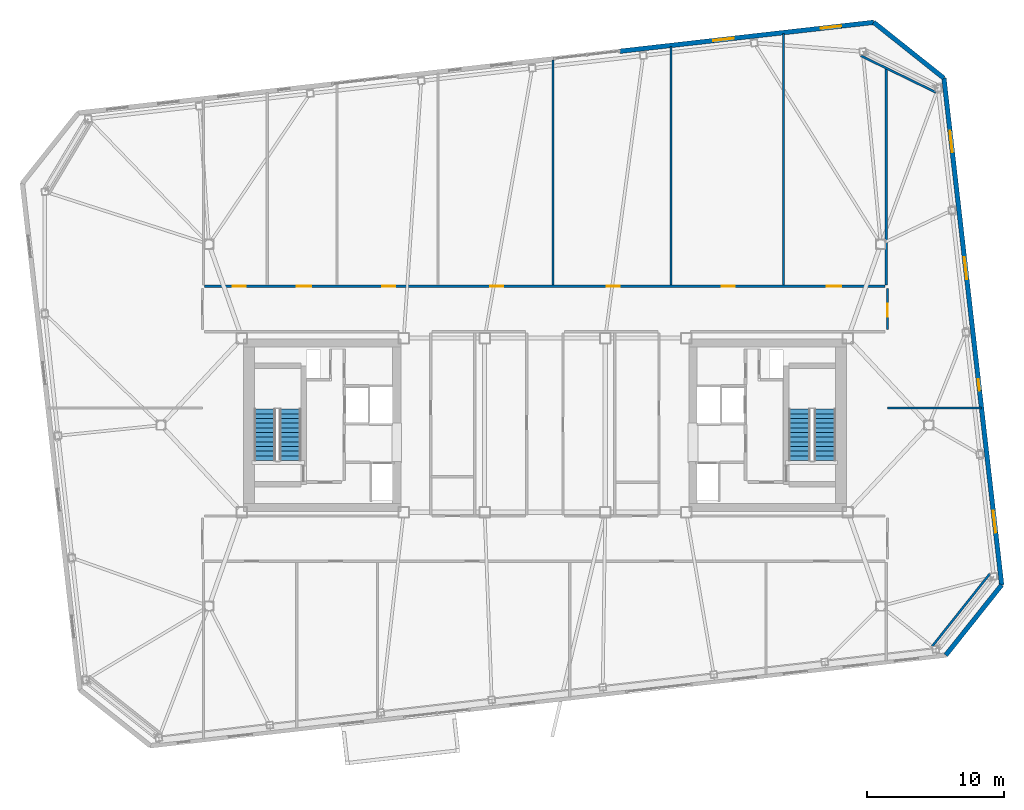
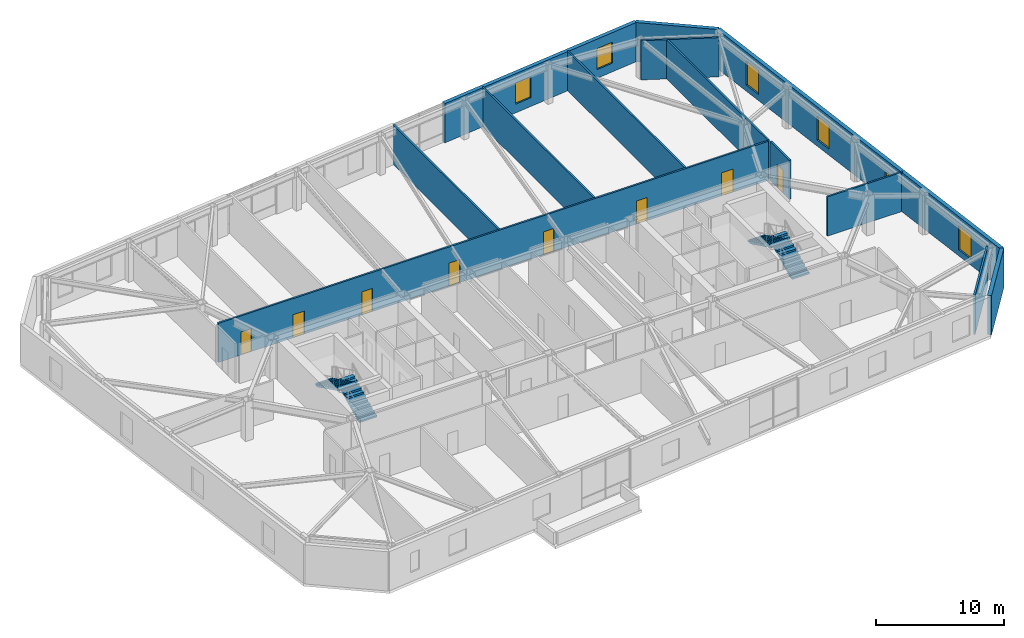
# One storey, part 15 of 18: 13 walls, 8 doors, 6 windows, 4 stair flights, 14 openings, 2 elements without a shape of their own.
"""IFC4 building model written with IfcOpenShell, lengths in metres."""

from ifc_helpers import new_model, si_unit, direction, frame, frame_2d, origin, place, context, subcontext, project, spatial, polyline, rectangle, outline, extrude, material, layer, layer_set, type_object, element, fill, aggregate, save


model = new_model("IFC4")

# Units and contexts
model_context = context("Model", 3, precision=1e-05, world=origin(), true_north=direction((0.0, 1.0)))
body_context = subcontext(model_context, "Body", "Model", "MODEL_VIEW")
ifc_project = project(units=[si_unit("LENGTHUNIT", "METRE"), si_unit("AREAUNIT", "SQUARE_METRE"), si_unit("VOLUMEUNIT", "CUBIC_METRE"), si_unit("PLANEANGLEUNIT", "RADIAN"), si_unit("MASSUNIT", "GRAM", prefix="KILO")], contexts=[model_context])

# Site, building, storey
site_placement = place(None, origin())
site = spatial("IfcSite", under=ifc_project, at=site_placement, CompositionType="ELEMENT")
building_placement = place(site_placement, origin())
building = spatial("IfcBuilding", under=site, at=building_placement, Name="Tavrogorsk Clinical Tower", CompositionType="ELEMENT")
storey_placement = place(building_placement, frame((0.0, 0.0, 230.199951171875)))
storey = spatial("IfcBuildingStorey", under=building, at=storey_placement, Name="L53", CompositionType="ELEMENT", Elevation=230.199951171875)

# Walls
ifc_material_1 = material(Name="Lightweight concrete blockwork B15", Category="masonry")
ifc_layer_1 = layer(ifc_material_1, 0.159912109375)
ifc_layer_set_1 = layer_set([ifc_layer_1], Name="Lightweight concrete blockwork B15")
wall_type_1 = type_object("IfcWallType", Name="PartitionWall_160", PredefinedType="PARTITIONING", material=ifc_layer_set_1)
wall_1_placement = place(storey_placement, frame((28.242431640625, -16.1337890625, 0.0), z_axis=(0.0, 0.0, 1.0), x_axis=(0.622521563328, 0.782602647064, 0.0)))
element("IfcWall", 1, at=wall_1_placement, inside=storey, type_object=wall_type_1, Name="L53 Corner Exoskeleton Brace Furring Wall 1", PredefinedType="PARTITIONING", context=body_context, shape_type="SweptSolid", body=[
    extrude(rectangle(XDim=6.788330078125, YDim=0.159912109375, at=frame_2d((3.39404296875, 0.0))), origin(), (0.0, 0.0, 1.0), 3.739990234375),
])
wall_2_placement = place(storey_placement, frame((28.5283203125, 24.27099609375, 0.0), z_axis=(0.0, 0.0, 1.0), x_axis=(-0.898820692789, 0.438316509173, 0.0)))
element("IfcWall", 2, at=wall_2_placement, inside=storey, type_object=wall_type_1, Name="L53 Corner Exoskeleton Brace Furring Wall 2", PredefinedType="PARTITIONING", context=body_context, shape_type="SweptSolid", body=[
    extrude(rectangle(XDim=6.10693359375, YDim=0.159912109375, at=frame_2d((3.053466796875, 0.0))), origin(), (0.0, 0.0, 1.0), 3.739990234375),
])

# Wall, openings, doors
wall_3_placement = place(storey_placement, frame((-24.81494140625, 10.1298828125, 0.0), z_axis=(0.0, 0.0, 1.0), x_axis=(1.0, 0.0, 0.0)))
wall_3 = element("IfcWall", 3, at=wall_3_placement, inside=storey, type_object=wall_type_1, Name="L53 Corridor Partition 05", PredefinedType="PARTITIONING", context=body_context, shape_type="SweptSolid", body=[
    extrude(rectangle(XDim=49.6298828125, YDim=0.159912109375, at=frame_2d((24.81494140625, 0.0))), origin(), (0.0, 0.0, 1.0), 3.739990234375),
])
opening_1_placement = place(wall_3_placement, frame((2.044189453125, 0.0, 0.0)))
opening_1 = element("IfcOpeningElement", 4, at=opening_1_placement, cuts=wall_3, Name="Opening ID-02", PredefinedType="OPENING", context=body_context, shape_type="SweptSolid", body=[
    extrude(rectangle(XDim=0.949951171875, YDim=2.199951171875, at=frame_2d((0.47509765625, 1.10009765625))), frame((0.0, 0.08984375, 0.0), z_axis=(0.0, -1.0, 0.0), x_axis=(1.0, 0.0, 0.0)), (0.0, 0.0, 1.0), 0.179931640625),
])
opening_2_placement = place(wall_3_placement, frame((6.719970703125, 0.0, 0.0)))
opening_2 = element("IfcOpeningElement", 5, at=opening_2_placement, cuts=wall_3, Name="Opening ID-04", PredefinedType="OPENING", context=body_context, shape_type="SweptSolid", body=[
    extrude(rectangle(XDim=1.050048828125, YDim=2.199951171875, at=frame_2d((0.52490234375, 1.10009765625))), frame((0.0, 0.08984375, 0.0), z_axis=(0.0, -1.0, 0.0), x_axis=(1.0, 0.0, 0.0)), (0.0, 0.0, 1.0), 0.179931640625),
])
opening_3_placement = place(wall_3_placement, frame((12.945068359375, 0.0, 0.0)))
opening_3 = element("IfcOpeningElement", 6, at=opening_3_placement, cuts=wall_3, Name="Opening ID-02", PredefinedType="OPENING", context=body_context, shape_type="SweptSolid", body=[
    extrude(rectangle(XDim=0.949951171875, YDim=2.199951171875, at=frame_2d((0.47509765625, 1.10009765625))), frame((0.0, 0.08984375, 0.0), z_axis=(0.0, -1.0, 0.0), x_axis=(1.0, 0.0, 0.0)), (0.0, 0.0, 1.0), 0.179931640625),
])
opening_4_placement = place(wall_3_placement, frame((20.824951171875, 0.0, 0.0)))
opening_4 = element("IfcOpeningElement", 7, at=opening_4_placement, cuts=wall_3, Name="Opening ID-02", PredefinedType="OPENING", context=body_context, shape_type="SweptSolid", body=[
    extrude(rectangle(XDim=0.949951171875, YDim=2.199951171875, at=frame_2d((0.47509765625, 1.10009765625))), frame((0.0, 0.08984375, 0.0), z_axis=(0.0, -1.0, 0.0), x_axis=(1.0, 0.0, 0.0)), (0.0, 0.0, 1.0), 0.179931640625),
])
opening_5_placement = place(wall_3_placement, frame((29.324951171875, 0.0, 0.0)))
opening_5 = element("IfcOpeningElement", 8, at=opening_5_placement, cuts=wall_3, Name="Opening ID-02", PredefinedType="OPENING", context=body_context, shape_type="SweptSolid", body=[
    extrude(rectangle(XDim=0.949951171875, YDim=2.199951171875, at=frame_2d((0.47509765625, 1.10009765625))), frame((0.0, 0.08984375, 0.0), z_axis=(0.0, -1.0, 0.0), x_axis=(1.0, 0.0, 0.0)), (0.0, 0.0, 1.0), 0.179931640625),
])
opening_6_placement = place(wall_3_placement, frame((37.72509765625, 0.0, 0.0)))
opening_6 = element("IfcOpeningElement", 9, at=opening_6_placement, cuts=wall_3, Name="Opening ID-02", PredefinedType="OPENING", context=body_context, shape_type="SweptSolid", body=[
    extrude(rectangle(XDim=0.949951171875, YDim=2.199951171875, at=frame_2d((0.47509765625, 1.10009765625))), frame((0.0, 0.08984375, 0.0), z_axis=(0.0, -1.0, 0.0), x_axis=(1.0, 0.0, 0.0)), (0.0, 0.0, 1.0), 0.179931640625),
])
opening_7_placement = place(wall_3_placement, frame((45.380859375, 0.0, 0.0)))
opening_7 = element("IfcOpeningElement", 10, at=opening_7_placement, cuts=wall_3, Name="Opening ID-04", PredefinedType="OPENING", context=body_context, shape_type="SweptSolid", body=[
    extrude(rectangle(XDim=1.050048828125, YDim=2.199951171875, at=frame_2d((0.52490234375, 1.10009765625))), frame((0.0, 0.08984375, 0.0), z_axis=(0.0, -1.0, 0.0), x_axis=(1.0, 0.0, 0.0)), (0.0, 0.0, 1.0), 0.179931640625),
])
ifc_material_2 = material(Name="Antibacterial HPL consultation door on aluminium frame", Category="aluminium")
door_type_1 = type_object("IfcDoorType", Name="ConsultDoor_ID04_1050", OperationType="NOTDEFINED", PredefinedType="DOOR", material=ifc_material_2)
door_1_placement = place(opening_2_placement, origin())
door_1 = element("IfcDoor", 11, at=door_1_placement, inside=storey, type_object=door_type_1, Name="L53 North Neuro-Rehabilitation Robotics Gym 02 Door", OperationType="SINGLE_SWING_RIGHT", OverallHeight=2.199951171875, OverallWidth=1.050048828125, PredefinedType="DOOR", context=body_context, shape_type="SweptSolid", body=[
    extrude(rectangle(XDim=1.050048828125, YDim=2.199951171875, at=frame_2d((0.52490234375, 1.10009765625))), frame((0.0, 0.02490234375, 0.0), z_axis=(0.0, -1.0, 0.0), x_axis=(1.0, 0.0, 0.0)), (0.0, 0.0, 1.0), 0.050048828125),
])
fill(opening_2, door_1)
door_2_placement = place(opening_7_placement, origin())
door_2 = element("IfcDoor", 12, at=door_2_placement, inside=storey, type_object=door_type_1, Name="L53 North Patient Mobility Lounge 07 Door", OperationType="SINGLE_SWING_LEFT", OverallHeight=2.199951171875, OverallWidth=1.050048828125, PredefinedType="DOOR", context=body_context, shape_type="SweptSolid", body=[
    extrude(rectangle(XDim=1.050048828125, YDim=2.199951171875, at=frame_2d((0.52490234375, 1.10009765625))), frame((0.0, 0.02490234375, 0.0), z_axis=(0.0, -1.0, 0.0), x_axis=(1.0, 0.0, 0.0)), (0.0, 0.0, 1.0), 0.050048828125),
])
fill(opening_7, door_2)
ifc_material_3 = material(Name="Laminated timber leaf on aluminium frame", Category="wood")
door_type_2 = type_object("IfcDoorType", Name="InteriorDoor_ID02_950", OperationType="NOTDEFINED", PredefinedType="DOOR", material=ifc_material_3)
door_3_placement = place(opening_1_placement, origin())
door_3 = element("IfcDoor", 13, at=door_3_placement, inside=storey, type_object=door_type_2, Name="L53 North Speech & Occupational Therapy Office 01 Door", OperationType="SINGLE_SWING_LEFT", OverallHeight=2.199951171875, OverallWidth=0.949951171875, PredefinedType="DOOR", context=body_context, shape_type="SweptSolid", body=[
    extrude(rectangle(XDim=0.949951171875, YDim=2.199951171875, at=frame_2d((0.47509765625, 1.10009765625))), frame((0.0, 0.02490234375, 0.0), z_axis=(0.0, -1.0, 0.0), x_axis=(1.0, 0.0, 0.0)), (0.0, 0.0, 1.0), 0.050048828125),
])
fill(opening_1, door_3)
door_4_placement = place(opening_3_placement, origin())
door_4 = element("IfcDoor", 14, at=door_4_placement, inside=storey, type_object=door_type_2, Name="L53 North Patient Mobility Lounge 03 Door", OperationType="SINGLE_SWING_LEFT", OverallHeight=2.199951171875, OverallWidth=0.949951171875, PredefinedType="DOOR", context=body_context, shape_type="SweptSolid", body=[
    extrude(rectangle(XDim=0.949951171875, YDim=2.199951171875, at=frame_2d((0.47509765625, 1.10009765625))), frame((0.0, 0.02490234375, 0.0), z_axis=(0.0, -1.0, 0.0), x_axis=(1.0, 0.0, 0.0)), (0.0, 0.0, 1.0), 0.050048828125),
])
fill(opening_3, door_4)
door_5_placement = place(opening_4_placement, origin())
door_5 = element("IfcDoor", 15, at=door_5_placement, inside=storey, type_object=door_type_2, Name="L53 North Rehabilitation Case Seminar Room 04 Door", OperationType="SINGLE_SWING_RIGHT", OverallHeight=2.199951171875, OverallWidth=0.949951171875, PredefinedType="DOOR", context=body_context, shape_type="SweptSolid", body=[
    extrude(rectangle(XDim=0.949951171875, YDim=2.199951171875, at=frame_2d((0.47509765625, 1.10009765625))), frame((0.0, 0.02490234375, 0.0), z_axis=(0.0, -1.0, 0.0), x_axis=(1.0, 0.0, 0.0)), (0.0, 0.0, 1.0), 0.050048828125),
])
fill(opening_4, door_5)
door_6_placement = place(opening_5_placement, origin())
door_6 = element("IfcDoor", 16, at=door_6_placement, inside=storey, type_object=door_type_2, Name="L53 North Speech & Occupational Therapy Office 05 Door", OperationType="SINGLE_SWING_LEFT", OverallHeight=2.199951171875, OverallWidth=0.949951171875, PredefinedType="DOOR", context=body_context, shape_type="SweptSolid", body=[
    extrude(rectangle(XDim=0.949951171875, YDim=2.199951171875, at=frame_2d((0.47509765625, 1.10009765625))), frame((0.0, 0.02490234375, 0.0), z_axis=(0.0, -1.0, 0.0), x_axis=(1.0, 0.0, 0.0)), (0.0, 0.0, 1.0), 0.050048828125),
])
fill(opening_5, door_6)
door_7_placement = place(opening_6_placement, origin())
door_7 = element("IfcDoor", 17, at=door_7_placement, inside=storey, type_object=door_type_2, Name="L53 North Neuro-Rehabilitation Robotics Gym 06 Door", OperationType="SINGLE_SWING_RIGHT", OverallHeight=2.199951171875, OverallWidth=0.949951171875, PredefinedType="DOOR", context=body_context, shape_type="SweptSolid", body=[
    extrude(rectangle(XDim=0.949951171875, YDim=2.199951171875, at=frame_2d((0.47509765625, 1.10009765625))), frame((0.0, 0.02490234375, 0.0), z_axis=(0.0, -1.0, 0.0), x_axis=(1.0, 0.0, 0.0)), (0.0, 0.0, 1.0), 0.050048828125),
])
fill(opening_6, door_7)

# Wall, opening, door
wall_4_placement = place(storey_placement, frame((24.97998046875, 9.965087890625, 0.0), z_axis=(0.0, 0.0, 1.0), x_axis=(0.0, -1.0, 0.0)))
wall_4 = element("IfcWall", 18, at=wall_4_placement, inside=storey, type_object=wall_type_1, Name="L53 Corridor Partition 06", PredefinedType="PARTITIONING", context=body_context, shape_type="SweptSolid", body=[
    extrude(rectangle(XDim=2.97998046875, YDim=0.159912109375, at=frame_2d((1.489990234375, 0.0))), origin(), (0.0, 0.0, 1.0), 3.739990234375),
])
opening_8_placement = place(wall_4_placement, frame((1.10009765625, 0.0, 0.0)))
opening_8 = element("IfcOpeningElement", 19, at=opening_8_placement, cuts=wall_4, Name="Opening ID-02", PredefinedType="OPENING", context=body_context, shape_type="SweptSolid", body=[
    extrude(rectangle(XDim=0.949951171875, YDim=2.199951171875, at=frame_2d((0.47509765625, 1.10009765625))), frame((0.0, 0.08984375, 0.0), z_axis=(0.0, -1.0, 0.0), x_axis=(1.0, 0.0, 0.0)), (0.0, 0.0, 1.0), 0.179931640625),
])
door_8_placement = place(opening_8_placement, origin())
door_8 = element("IfcDoor", 20, at=door_8_placement, inside=storey, type_object=door_type_2, Name="L53 E Multidisciplinary Seminar Suite 2 Door", OperationType="SINGLE_SWING_RIGHT", OverallHeight=2.199951171875, OverallWidth=0.949951171875, PredefinedType="DOOR", context=body_context, shape_type="SweptSolid", body=[
    extrude(rectangle(XDim=0.949951171875, YDim=2.199951171875, at=frame_2d((0.47509765625, 1.10009765625))), frame((0.0, 0.02490234375, 0.0), z_axis=(0.0, -1.0, 0.0), x_axis=(1.0, 0.0, 0.0)), (0.0, 0.0, 1.0), 0.050048828125),
])
fill(opening_8, door_8)

# Walls
wall_5_placement = place(storey_placement, frame((24.89990234375, 10.215087890625, 0.0), z_axis=(0.0, 0.0, 1.0), x_axis=(0.0, 1.0, 0.0)))
element("IfcWall", 21, at=wall_5_placement, inside=storey, type_object=wall_type_1, Name="L53 NE Wing Closure Partition", PredefinedType="PARTITIONING", context=body_context, shape_type="SweptSolid", body=[
    extrude(rectangle(XDim=15.829345703125, YDim=0.159912109375, at=frame_2d((7.91455078125, 0.0))), origin(), (0.0, 0.0, 1.0), 3.739990234375),
])
wall_6_placement = place(storey_placement, frame((0.60009765625, 10.215087890625, 0.0), z_axis=(0.0, 0.0, 1.0), x_axis=(0.0, 1.0, 0.0)))
element("IfcWall", 22, at=wall_6_placement, inside=storey, type_object=wall_type_1, Name="L53 North Room Partition 4", PredefinedType="PARTITIONING", context=body_context, shape_type="SweptSolid", body=[
    extrude(rectangle(XDim=16.4365234375, YDim=0.159912109375, at=frame_2d((8.21826171875, 0.0))), origin(), (0.0, 0.0, 1.0), 3.739990234375),
])
wall_7_placement = place(storey_placement, frame((9.199951171875, 10.215087890625, 0.0), z_axis=(0.0, 0.0, 1.0), x_axis=(0.0, 1.0, 0.0)))
element("IfcWall", 23, at=wall_7_placement, inside=storey, type_object=wall_type_1, Name="L53 North Room Partition 5", PredefinedType="PARTITIONING", context=body_context, shape_type="SweptSolid", body=[
    extrude(rectangle(XDim=17.41650390625, YDim=0.159912109375, at=frame_2d((8.708251953125, 0.0))), origin(), (0.0, 0.0, 1.0), 3.739990234375),
])
wall_8_placement = place(storey_placement, frame((17.39990234375, 10.215087890625, 0.0), z_axis=(0.0, 0.0, 1.0), x_axis=(0.0, 1.0, 0.0)))
element("IfcWall", 24, at=wall_8_placement, inside=storey, type_object=wall_type_1, Name="L53 North Room Partition 6", PredefinedType="PARTITIONING", context=body_context, shape_type="SweptSolid", body=[
    extrude(rectangle(XDim=18.350830078125, YDim=0.159912109375, at=frame_2d((9.17529296875, 0.0))), origin(), (0.0, 0.0, 1.0), 3.739990234375),
])
wall_9_placement = place(storey_placement, frame((24.97998046875, 1.25, 0.0), z_axis=(0.0, 0.0, 1.0), x_axis=(1.0, 0.0, 0.0)))
element("IfcWall", 25, at=wall_9_placement, inside=storey, type_object=wall_type_1, Name="L53 E Wing Divider 1", PredefinedType="PARTITIONING", context=body_context, shape_type="SweptSolid", body=[
    extrude(rectangle(XDim=6.84814453125, YDim=0.159912109375, at=frame_2d((3.424072265625, 0.0))), origin(), (0.0, 0.0, 1.0), 3.739990234375),
])

# Wall, openings, windows
ifc_material_4 = material(Name="Precast concrete B45 with limestone cladding", Category="masonry")
ifc_layer_2 = layer(ifc_material_4, 0.340087890625)
ifc_layer_set_2 = layer_set([ifc_layer_2], Name="Precast concrete B45 with limestone cladding")
wall_type_2 = type_object("IfcWallType", Name="PrecastLimestoneWall_340", PredefinedType="STANDARD", material=ifc_layer_set_2)
wall_10_placement = place(storey_placement, frame((23.982666015625, 29.38623046875, 0.0), z_axis=(0.0, 0.0, 1.0), x_axis=(-0.993572271362, -0.113199565282, 0.0)))
wall_10 = element("IfcWall", 26, at=wall_10_placement, inside=storey, type_object=wall_type_2, Name="L53 N Limestone Facade Wall 1", PredefinedType="STANDARD", context=body_context, shape_type="SweptSolid", body=[
    extrude(rectangle(XDim=18.6513671875, YDim=0.340087890625, at=frame_2d((9.32568359375, 0.0))), origin(), (0.0, 0.0, 1.0), 3.739990234375),
])
opening_9_placement = place(wall_10_placement, frame((10.27880859375, 0.0, 0.830078125)))
opening_9 = element("IfcOpeningElement", 27, at=opening_9_placement, cuts=wall_10, Name="Opening WN-05", PredefinedType="OPENING", context=body_context, shape_type="SweptSolid", body=[
    extrude(rectangle(XDim=1.5, YDim=2.0, at=frame_2d((0.75, 1.0))), frame((0.0, 0.179931640625, 0.0), z_axis=(0.0, -1.0, 0.0), x_axis=(1.0, 0.0, 0.0)), (0.0, 0.0, 1.0), 0.360107421875),
])
opening_10_placement = place(wall_10_placement, frame((2.385986328125, 0.0, 0.830078125)))
opening_10 = element("IfcOpeningElement", 28, at=opening_10_placement, cuts=wall_10, Name="Opening WN-05", PredefinedType="OPENING", context=body_context, shape_type="SweptSolid", body=[
    extrude(rectangle(XDim=1.5, YDim=2.0, at=frame_2d((0.75, 1.0))), frame((0.0, 0.179931640625, 0.0), z_axis=(0.0, -1.0, 0.0), x_axis=(1.0, 0.0, 0.0)), (0.0, 0.0, 1.0), 0.360107421875),
])
ifc_material_5 = material(Name="Thermally broken aluminium frame and triple IGU", Category="aluminium")
window_type_1 = type_object("IfcWindowType", Name="ConsultWin_1500x2000", PartitioningType="SINGLE_PANEL", PredefinedType="WINDOW", material=ifc_material_5)
window_1_placement = place(opening_9_placement, origin())
window_1 = element("IfcWindow", 29, at=window_1_placement, inside=storey, type_object=window_type_1, Name="L53 N Chicago Window 08", OverallHeight=2.0, OverallWidth=1.5, PartitioningType="SINGLE_PANEL", PredefinedType="WINDOW", context=body_context, shape_type="SweptSolid", body=[
    extrude(rectangle(XDim=1.5, YDim=2.0, at=frame_2d((0.75, 1.0))), frame((0.0, 0.030029296875, 0.0), z_axis=(0.0, -1.0, 0.0), x_axis=(1.0, 0.0, 0.0)), (0.0, 0.0, 1.0), 0.06005859375),
])
fill(opening_9, window_1)
window_2_placement = place(opening_10_placement, origin())
window_2 = element("IfcWindow", 30, at=window_2_placement, inside=storey, type_object=window_type_1, Name="L53 N Chicago Window 10", OverallHeight=2.0, OverallWidth=1.5, PartitioningType="SINGLE_PANEL", PredefinedType="WINDOW", context=body_context, shape_type="SweptSolid", body=[
    extrude(rectangle(XDim=1.5, YDim=2.0, at=frame_2d((0.75, 1.0))), frame((0.0, 0.030029296875, 0.0), z_axis=(0.0, -1.0, 0.0), x_axis=(1.0, 0.0, 0.0)), (0.0, 0.0, 1.0), 0.06005859375),
])
fill(opening_10, window_2)

wall_11_placement = place(storey_placement, frame((33.318115234375, -11.65087890625, 0.0), z_axis=(0.0, 0.0, 1.0), x_axis=(-0.11320360501, 0.9935718111, 0.0)))
wall_11 = element("IfcWall", 31, at=wall_11_placement, inside=storey, type_object=wall_type_2, Name="L53 E Pleated Limestone Wing Wall", PredefinedType="STANDARD", context=body_context, shape_type="SweptSolid", body=[
    extrude(rectangle(XDim=37.199951171875, YDim=0.340087890625, at=frame_2d((18.60009765625, 0.0))), origin(), (0.0, 0.0, 1.0), 3.739990234375),
])
opening_11_placement = place(wall_11_placement, frame((3.85009765625, 0.0, 0.580078125)))
opening_11 = element("IfcOpeningElement", 32, at=opening_11_placement, cuts=wall_11, Name="Opening WN-07", PredefinedType="OPENING", context=body_context, shape_type="SweptSolid", body=[
    extrude(rectangle(XDim=1.60009765625, YDim=2.300048828125, at=frame_2d((0.800048828125, 1.14990234375))), frame((0.0, 0.179931640625, 0.0), z_axis=(0.0, -1.0, 0.0), x_axis=(1.0, 0.0, 0.0)), (0.0, 0.0, 1.0), 0.360107421875),
])
opening_12_placement = place(wall_11_placement, frame((14.25, 0.0, 0.75)))
opening_12 = element("IfcOpeningElement", 33, at=opening_12_placement, cuts=wall_11, Name="Opening WN-06", PredefinedType="OPENING", context=body_context, shape_type="SweptSolid", body=[
    extrude(rectangle(XDim=0.85009765625, YDim=1.85009765625, at=frame_2d((0.425048828125, 0.925048828125))), frame((0.0, 0.179931640625, 0.0), z_axis=(0.0, -1.0, 0.0), x_axis=(1.0, 0.0, 0.0)), (0.0, 0.0, 1.0), 0.360107421875),
])
opening_13_placement = place(wall_11_placement, frame((22.449951171875, 0.0, 0.580078125)))
opening_13 = element("IfcOpeningElement", 34, at=opening_13_placement, cuts=wall_11, Name="Opening WN-07", PredefinedType="OPENING", context=body_context, shape_type="SweptSolid", body=[
    extrude(rectangle(XDim=1.60009765625, YDim=2.300048828125, at=frame_2d((0.800048828125, 1.14990234375))), frame((0.0, 0.179931640625, 0.0), z_axis=(0.0, -1.0, 0.0), x_axis=(1.0, 0.0, 0.0)), (0.0, 0.0, 1.0), 0.360107421875),
])
opening_14_placement = place(wall_11_placement, frame((31.75, 0.0, 0.580078125)))
opening_14 = element("IfcOpeningElement", 35, at=opening_14_placement, cuts=wall_11, Name="Opening WN-07", PredefinedType="OPENING", context=body_context, shape_type="SweptSolid", body=[
    extrude(rectangle(XDim=1.60009765625, YDim=2.300048828125, at=frame_2d((0.800048828125, 1.14990234375))), frame((0.0, 0.179931640625, 0.0), z_axis=(0.0, -1.0, 0.0), x_axis=(1.0, 0.0, 0.0)), (0.0, 0.0, 1.0), 0.360107421875),
])
ifc_material_6 = material(Name="Thermally broken aluminium frame and triple IGU", Category="aluminium")
window_type_2 = type_object("IfcWindowType", Name="MullionSubWin_850x1850", PartitioningType="SINGLE_PANEL", PredefinedType="WINDOW", material=ifc_material_6)
window_3_placement = place(opening_12_placement, origin())
window_3 = element("IfcWindow", 36, at=window_3_placement, inside=storey, type_object=window_type_2, Name="L53 E Pleat Mullion Window 2B", OverallHeight=1.85009765625, OverallWidth=0.85009765625, PartitioningType="SINGLE_PANEL", PredefinedType="WINDOW", context=body_context, shape_type="SweptSolid", body=[
    extrude(rectangle(XDim=0.85009765625, YDim=1.85009765625, at=frame_2d((0.425048828125, 0.925048828125))), frame((0.0, 0.030029296875, 0.0), z_axis=(0.0, -1.0, 0.0), x_axis=(1.0, 0.0, 0.0)), (0.0, 0.0, 1.0), 0.06005859375),
])
fill(opening_12, window_3)
ifc_material_7 = material(Name="Thermally broken aluminium frame and triple IGU", Category="aluminium")
window_type_3 = type_object("IfcWindowType", Name="PleatSlotWin_1600x2300", PartitioningType="SINGLE_PANEL", PredefinedType="WINDOW", material=ifc_material_7)
window_4_placement = place(opening_11_placement, origin())
window_4 = element("IfcWindow", 37, at=window_4_placement, inside=storey, type_object=window_type_3, Name="L53 E Pleat Slot Window 1", OverallHeight=2.300048828125, OverallWidth=1.60009765625, PartitioningType="SINGLE_PANEL", PredefinedType="WINDOW", context=body_context, shape_type="SweptSolid", body=[
    extrude(rectangle(XDim=1.60009765625, YDim=2.300048828125, at=frame_2d((0.800048828125, 1.14990234375))), frame((0.0, 0.030029296875, 0.0), z_axis=(0.0, -1.0, 0.0), x_axis=(1.0, 0.0, 0.0)), (0.0, 0.0, 1.0), 0.06005859375),
])
fill(opening_11, window_4)
window_5_placement = place(opening_13_placement, origin())
window_5 = element("IfcWindow", 38, at=window_5_placement, inside=storey, type_object=window_type_3, Name="L53 E Pleat Slot Window 3", OverallHeight=2.300048828125, OverallWidth=1.60009765625, PartitioningType="SINGLE_PANEL", PredefinedType="WINDOW", context=body_context, shape_type="SweptSolid", body=[
    extrude(rectangle(XDim=1.60009765625, YDim=2.300048828125, at=frame_2d((0.800048828125, 1.14990234375))), frame((0.0, 0.030029296875, 0.0), z_axis=(0.0, -1.0, 0.0), x_axis=(1.0, 0.0, 0.0)), (0.0, 0.0, 1.0), 0.06005859375),
])
fill(opening_13, window_5)
window_6_placement = place(opening_14_placement, origin())
window_6 = element("IfcWindow", 39, at=window_6_placement, inside=storey, type_object=window_type_3, Name="L53 E Pleat Slot Window 4", OverallHeight=2.300048828125, OverallWidth=1.60009765625, PartitioningType="SINGLE_PANEL", PredefinedType="WINDOW", context=body_context, shape_type="SweptSolid", body=[
    extrude(rectangle(XDim=1.60009765625, YDim=2.300048828125, at=frame_2d((0.800048828125, 1.14990234375))), frame((0.0, 0.030029296875, 0.0), z_axis=(0.0, -1.0, 0.0), x_axis=(1.0, 0.0, 0.0)), (0.0, 0.0, 1.0), 0.06005859375),
])
fill(opening_14, window_6)

# Walls
for number, where, z_axis, x_axis, name in (
    (40, (29.241943359375, -16.775146484375, 0.0), (0.0, 0.0, 1.0), (0.62252823689, 0.78259733853, 0.0), "L53 Chamfered Corner Wall 1"),
    (41, (29.10693359375, 25.31005859375, 0.0), (0.0, 0.0, 1.0), (-0.78259733853, 0.62252823689, 0.0), "L53 Chamfered Corner Wall 2"),
):
    element("IfcWall", number, at=place(storey_placement, frame(where, z_axis=z_axis, x_axis=x_axis)), inside=storey, type_object=wall_type_2, Name=name, PredefinedType="STANDARD", context=body_context, shape_type="SweptSolid", body=[
        extrude(rectangle(XDim=6.5478515625, YDim=0.340087890625, at=frame_2d((3.27392578125, 0.0))), origin(), (0.0, 0.0, 1.0), 3.739990234375),
    ])

# Stair, stair flights
ifc_material_8 = material(Name="Concrete B60", Category="concrete")
stair_type = type_object("IfcStairType", Name="CoreStairAssembly", PredefinedType="HALF_TURN_STAIR", material=ifc_material_8)
stair_1_placement = place(storey_placement, origin())
stair_1 = element("IfcStair", 42, at=stair_1_placement, inside=storey, type_object=stair_type, Name="L53 ST-W", PredefinedType="HALF_TURN_STAIR")
ifc_material_9 = material(Name="Concrete B60", Category="concrete")
stair_flight_type = type_object("IfcStairFlightType", Name="CoreStairFlight", PredefinedType="STRAIGHT", material=ifc_material_9)
stair_flight_1_placement = place(storey_placement, frame((-18.574951171875, -2.574951171875, 0.0), z_axis=(0.0, 0.0, 1.0), x_axis=(0.0, 1.0, 0.0)))
stair_flight_1 = element("IfcStairFlight", 43, at=stair_flight_1_placement, type_object=stair_flight_type, Name="ST-W flight 1", NumberOfRisers=12, NumberOfTreads=11, PredefinedType="STRAIGHT", RiserHeight=0.166666667, TreadLength=0.34, context=body_context, shape_type="SweptSolid", body=[
    extrude(outline(polyline([(0.0, 0.0), (0.0, 0.166748046875), (0.340087890625, 0.166748046875), (0.340087890625, 0.333251953125), (0.679931640625, 0.333251953125), (0.679931640625, 0.5), (1.02001953125, 0.5), (1.02001953125, 0.666748046875), (1.360107421875, 0.666748046875), (1.360107421875, 0.833251953125), (1.699951171875, 0.833251953125), (1.699951171875, 1.0), (2.0400390625, 1.0), (2.0400390625, 1.166748046875), (2.3798828125, 1.166748046875), (2.3798828125, 1.333251953125), (2.719970703125, 1.333251953125), (2.719970703125, 1.5), (3.06005859375, 1.5), (3.06005859375, 1.666748046875), (3.39990234375, 1.666748046875), (3.39990234375, 1.833251953125), (3.739990234375, 1.833251953125), (3.739990234375, 2.0), (3.739990234375, 1.66650390625), (0.340576171875, 0.0), (0.0, 0.0)])), frame((0.0, 0.77490234375, 0.0), z_axis=(0.0, -1.0, 0.0), x_axis=(1.0, 0.0, 0.0)), (0.0, 0.0, 1.0), 1.550048828125),
])
stair_flight_2_placement = place(storey_placement, frame((-20.425048828125, 1.1650390625, 2.0), z_axis=(0.0, 0.0, 1.0), x_axis=(0.0, -1.0, 0.0)))
stair_flight_2 = element("IfcStairFlight", 44, at=stair_flight_2_placement, type_object=stair_flight_type, Name="ST-W flight 2", NumberOfRisers=12, NumberOfTreads=11, PredefinedType="STRAIGHT", RiserHeight=0.166666667, TreadLength=0.34, context=body_context, shape_type="SweptSolid", body=[
    extrude(outline(polyline([(0.0, 0.0), (0.0, 0.166748046875), (0.340087890625, 0.166748046875), (0.340087890625, 0.333251953125), (0.679931640625, 0.333251953125), (0.679931640625, 0.5), (1.02001953125, 0.5), (1.02001953125, 0.666748046875), (1.360107421875, 0.666748046875), (1.360107421875, 0.833251953125), (1.699951171875, 0.833251953125), (1.699951171875, 1.0), (2.0400390625, 1.0), (2.0400390625, 1.166748046875), (2.3798828125, 1.166748046875), (2.3798828125, 1.333251953125), (2.719970703125, 1.333251953125), (2.719970703125, 1.5), (3.06005859375, 1.5), (3.06005859375, 1.666748046875), (3.39990234375, 1.666748046875), (3.39990234375, 1.833251953125), (3.739990234375, 1.833251953125), (3.739990234375, 2.0), (3.739990234375, 1.66650390625), (0.340576171875, 0.0), (0.0, 0.0)])), frame((0.0, 0.77490234375, 0.0), z_axis=(0.0, -1.0, 0.0), x_axis=(1.0, 0.0, 0.0)), (0.0, 0.0, 1.0), 1.550048828125),
])
aggregate(stair_1, [stair_flight_1, stair_flight_2])

stair_2_placement = place(storey_placement, origin())
stair_2 = element("IfcStair", 45, at=stair_2_placement, inside=storey, type_object=stair_type, Name="L53 ST-E", PredefinedType="HALF_TURN_STAIR")
stair_flight_3_placement = place(storey_placement, frame((20.425048828125, -2.574951171875, 0.0), z_axis=(0.0, 0.0, 1.0), x_axis=(0.0, 1.0, 0.0)))
stair_flight_3 = element("IfcStairFlight", 46, at=stair_flight_3_placement, type_object=stair_flight_type, Name="ST-E flight 1", NumberOfRisers=12, NumberOfTreads=11, PredefinedType="STRAIGHT", RiserHeight=0.166666667, TreadLength=0.34, context=body_context, shape_type="SweptSolid", body=[
    extrude(outline(polyline([(0.0, 0.0), (0.0, 0.166748046875), (0.340087890625, 0.166748046875), (0.340087890625, 0.333251953125), (0.679931640625, 0.333251953125), (0.679931640625, 0.5), (1.02001953125, 0.5), (1.02001953125, 0.666748046875), (1.360107421875, 0.666748046875), (1.360107421875, 0.833251953125), (1.699951171875, 0.833251953125), (1.699951171875, 1.0), (2.0400390625, 1.0), (2.0400390625, 1.166748046875), (2.3798828125, 1.166748046875), (2.3798828125, 1.333251953125), (2.719970703125, 1.333251953125), (2.719970703125, 1.5), (3.06005859375, 1.5), (3.06005859375, 1.666748046875), (3.39990234375, 1.666748046875), (3.39990234375, 1.833251953125), (3.739990234375, 1.833251953125), (3.739990234375, 2.0), (3.739990234375, 1.66650390625), (0.340576171875, 0.0), (0.0, 0.0)])), frame((0.0, 0.77490234375, 0.0), z_axis=(0.0, -1.0, 0.0), x_axis=(1.0, 0.0, 0.0)), (0.0, 0.0, 1.0), 1.550048828125),
])
stair_flight_4_placement = place(storey_placement, frame((18.574951171875, 1.1650390625, 2.0), z_axis=(0.0, 0.0, 1.0), x_axis=(0.0, -1.0, 0.0)))
stair_flight_4 = element("IfcStairFlight", 47, at=stair_flight_4_placement, type_object=stair_flight_type, Name="ST-E flight 2", NumberOfRisers=12, NumberOfTreads=11, PredefinedType="STRAIGHT", RiserHeight=0.166666667, TreadLength=0.34, context=body_context, shape_type="SweptSolid", body=[
    extrude(outline(polyline([(0.0, 0.0), (0.0, 0.166748046875), (0.340087890625, 0.166748046875), (0.340087890625, 0.333251953125), (0.679931640625, 0.333251953125), (0.679931640625, 0.5), (1.02001953125, 0.5), (1.02001953125, 0.666748046875), (1.360107421875, 0.666748046875), (1.360107421875, 0.833251953125), (1.699951171875, 0.833251953125), (1.699951171875, 1.0), (2.0400390625, 1.0), (2.0400390625, 1.166748046875), (2.3798828125, 1.166748046875), (2.3798828125, 1.333251953125), (2.719970703125, 1.333251953125), (2.719970703125, 1.5), (3.06005859375, 1.5), (3.06005859375, 1.666748046875), (3.39990234375, 1.666748046875), (3.39990234375, 1.833251953125), (3.739990234375, 1.833251953125), (3.739990234375, 2.0), (3.739990234375, 1.66650390625), (0.340576171875, 0.0), (0.0, 0.0)])), frame((0.0, 0.77490234375, 0.0), z_axis=(0.0, -1.0, 0.0), x_axis=(1.0, 0.0, 0.0)), (0.0, 0.0, 1.0), 1.550048828125),
])
aggregate(stair_2, [stair_flight_3, stair_flight_4])

save(model, "model.ifc")
